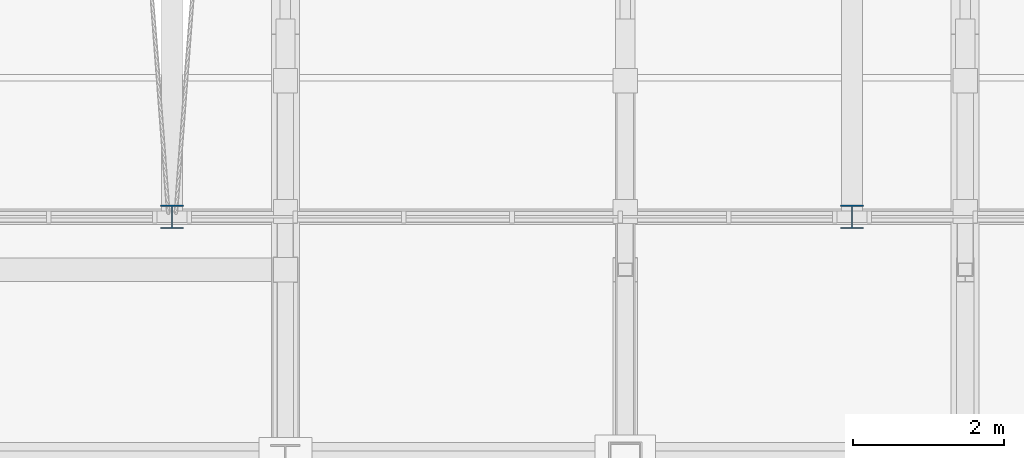
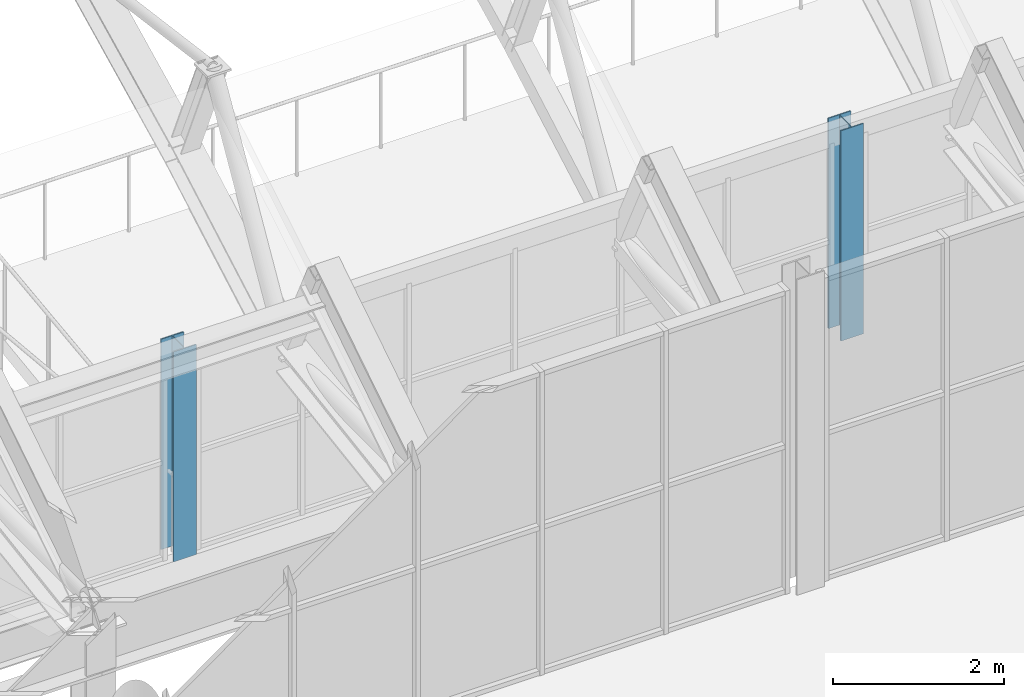
# One storey, part 13 of 134: 2 columns.
"""IFC4 building model written with IfcOpenShell, lengths in metres."""

from ifc_helpers import new_model, si_unit, direction, frame, origin, origin_2d, place, context, subcontext, project, spatial, i_section, extrude, material, material_profile, profile_set, type_object, element, save


model = new_model("IFC4")

# Units and contexts
model_context = context("Model", 3, precision=1e-05, world=origin(), true_north=direction((0.0, 1.0)))
body_context = subcontext(model_context, "Body", "Model", "MODEL_VIEW")
ifc_project = project(units=[si_unit("LENGTHUNIT", "METRE"), si_unit("AREAUNIT", "SQUARE_METRE"), si_unit("VOLUMEUNIT", "CUBIC_METRE"), si_unit("PLANEANGLEUNIT", "RADIAN"), si_unit("MASSUNIT", "GRAM", prefix="KILO")], contexts=[model_context])

# Site, building, storey
site_placement = place(None, origin())
site = spatial("IfcSite", under=ifc_project, at=site_placement, CompositionType="ELEMENT")
building_placement = place(site_placement, origin())
building = spatial("IfcBuilding", under=site, at=building_placement, Name="Cazmaro Siding Exhibition Halls", CompositionType="ELEMENT")
storey_placement = place(building_placement, frame((0.0, 0.0, 12.0)))
storey = spatial("IfcBuildingStorey", under=building, at=storey_placement, Name="L02", CompositionType="ELEMENT", Elevation=12.0)

# Columns
ifc_material = material(Name="Steel ASTM A992 Grade 50", Category="steel")
ifc_material_profile = material_profile(ifc_material, i_section(OverallWidth=0.304931640625, OverallDepth=0.306884765625, WebThickness=0.010009765625, FlangeThickness=0.014892578125, at=origin_2d()), Name="W12X65")
ifc_profile_set = profile_set([ifc_material_profile], Name="Steel ASTM A992 Grade 50")
column_type = type_object("IfcColumnType", Name="C-06", PredefinedType="COLUMN", material=ifc_profile_set)
for number, where, z_axis, x_axis, name in (
    (1, (111.0, 67.199951171875, 0.0), (0.0, 0.0, 1.0), (1.0, 0.0, 0.0), "Column C-06 COL-0327"),
    (2, (120.0, 67.199951171875, 0.0), (0.0, 0.0, 1.0), (1.0, 0.0, 0.0), "Column C-06 COL-0337"),
):
    element("IfcColumn", number, at=place(storey_placement, frame(where, z_axis=z_axis, x_axis=x_axis)), inside=storey, type_object=column_type, Name=name, PredefinedType="COLUMN", context=body_context, shape_type="SweptSolid", body=[
        extrude(i_section(OverallWidth=0.304931640625, OverallDepth=0.306884765625, WebThickness=0.010009765625, FlangeThickness=0.014892578125, at=origin_2d()), origin(), (0.0, 0.0, 1.0), 3.0),
    ])

save(model, "model.ifc")
